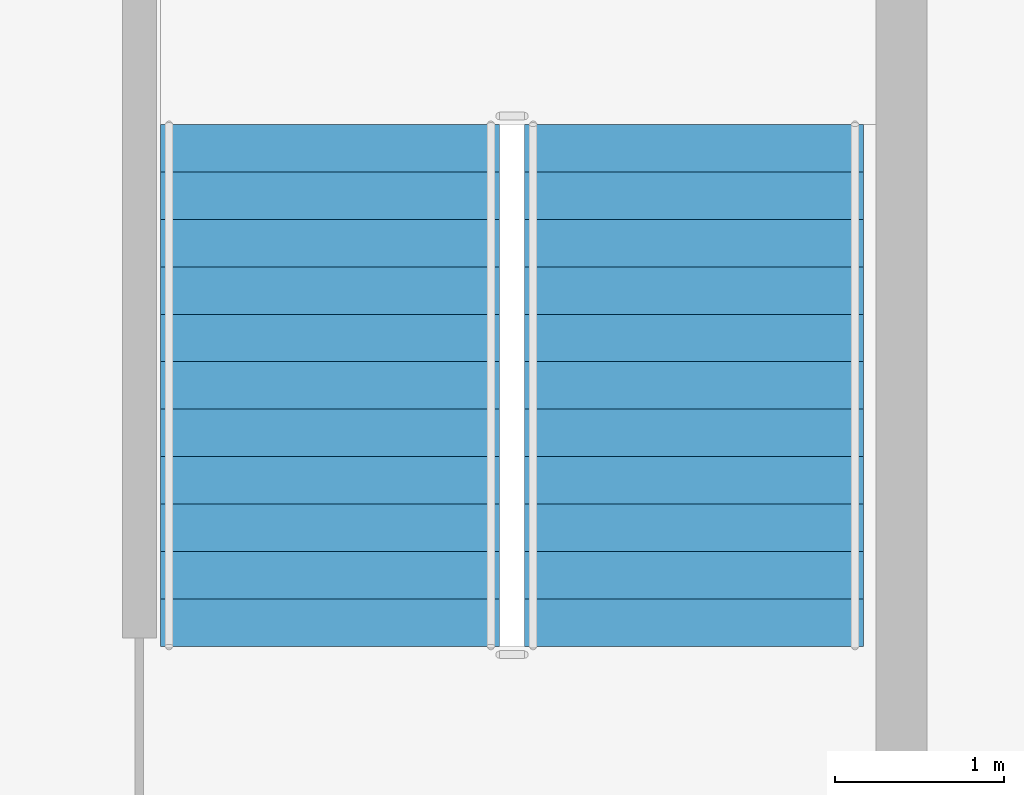
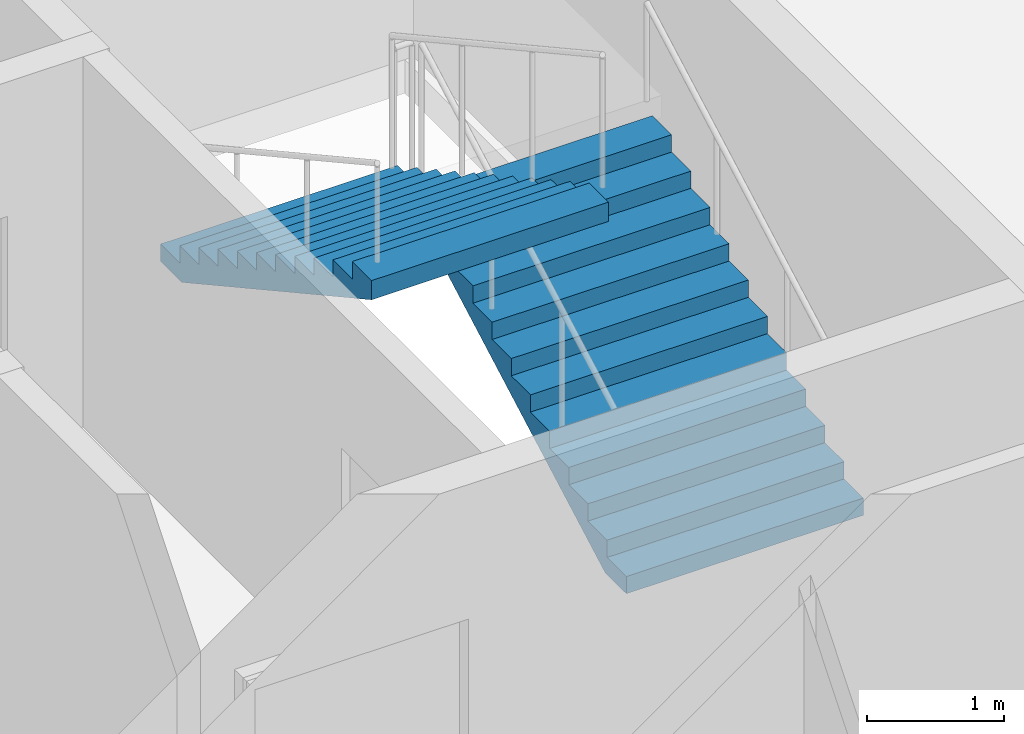
# One storey, part 9 of 11: 2 stair flights, 1 element without a shape of its own.
"""IFC4 building model written with IfcOpenShell, lengths in metres."""

from ifc_helpers import new_model, si_unit, direction, frame, origin, place, context, subcontext, project, spatial, polygons, material, type_object, element, aggregate, save


model = new_model("IFC4")

# Units and contexts
model_context = context("Model", 3, precision=1e-05, world=origin(), true_north=direction((0.0, 1.0)))
body_context = subcontext(model_context, "Body", "Model", "MODEL_VIEW")
ifc_project = project(units=[si_unit("LENGTHUNIT", "METRE"), si_unit("AREAUNIT", "SQUARE_METRE"), si_unit("VOLUMEUNIT", "CUBIC_METRE"), si_unit("PLANEANGLEUNIT", "RADIAN"), si_unit("MASSUNIT", "GRAM", prefix="KILO")], contexts=[model_context])

# Site, building, storey
site_placement = place(None, origin())
site = spatial("IfcSite", under=ifc_project, at=site_placement, CompositionType="ELEMENT")
building_placement = place(site_placement, origin())
building = spatial("IfcBuilding", under=site, at=building_placement, Name="Caravel Reach Hotel and Residences", CompositionType="ELEMENT")
storey_placement = place(building_placement, frame((0.0, 0.0, 229.39990234375)))
storey = spatial("IfcBuildingStorey", under=building, at=storey_placement, Name="L58", CompositionType="ELEMENT", Elevation=229.39990234375)

# Stair, stair flights
ifc_material_1 = material(Name="Concrete C40", Category="concrete")
stair_type = type_object("IfcStairType", Name="Core stair", PredefinedType="HALF_TURN_STAIR", material=ifc_material_1)
stair_placement = place(storey_placement, origin())
stair = element("IfcStair", 1, at=stair_placement, inside=storey, type_object=stair_type, Name="L58 Exit stair B", PredefinedType="HALF_TURN_STAIR")
ifc_material_2 = material(Name="Concrete C40", Category="concrete")
stair_flight_type = type_object("IfcStairFlightType", Name="Core stair flight", PredefinedType="STRAIGHT", material=ifc_material_2)
stair_flight_1_placement = place(storey_placement, frame((43.77490234375, 24.64990234375, 0.0), z_axis=(0.0, 0.0, 1.0), x_axis=(0.0, 1.0, 0.0)))
stair_flight_1 = element("IfcStairFlight", 2, at=stair_flight_1_placement, type_object=stair_flight_type, Name="ST-B flight 1", NumberOfRisers=12, NumberOfTreads=11, PredefinedType="STRAIGHT", RiserHeight=0.154166667, TreadLength=0.28, context=body_context, shape_type="Tessellation", body=[
    polygons([(0.3107950034306102, 1.0, 0.0), (0.3107950034306102, 0.6666666666666667, 0.0), (0.3107950034306102, 0.33333333333333337, 0.0), (0.3107950034306102, 0.0, 0.0), (0.3107950034306102, -0.33333333333333326, 0.0), (0.3107950034306102, -0.6666666666666667, 0.0), (0.3107950034306102, -1.0, 0.0), (3.081, 1.0, 1.524711087717319), (3.081, 0.6666666666666667, 1.524711087717319), (3.081, 0.33333333333333337, 1.524711087717319), (3.081, 0.0, 1.524711087717319), (3.081, -0.33333333333333326, 1.524711087717319), (3.081, -0.6666666666666667, 1.524711087717319), (3.081, -1.0, 1.524711087717319), (3.081, 1.0, 1.695833337), (3.081, 0.6666666666666667, 1.695833337), (3.081, 0.33333333333333337, 1.695833337), (3.081, 0.0, 1.695833337), (3.081, -0.33333333333333326, 1.695833337), (3.081, -0.6666666666666667, 1.695833337), (3.081, -1.0, 1.695833337), (2.8000000000000003, 1.0, 1.695833337), (2.8000000000000003, 0.6666666666666667, 1.695833337), (2.8000000000000003, 0.33333333333333337, 1.695833337), (2.8000000000000003, 0.0, 1.695833337), (2.8000000000000003, -0.33333333333333326, 1.695833337), (2.8000000000000003, -0.6666666666666667, 1.695833337), (2.8000000000000003, -1.0, 1.695833337), (2.8000000000000003, 1.0, 1.5416666700000001), (2.8000000000000003, 0.6666666666666667, 1.5416666700000001), (2.8000000000000003, 0.33333333333333337, 1.5416666700000001), (2.8000000000000003, 0.0, 1.5416666700000001), (2.8000000000000003, -0.33333333333333326, 1.5416666700000001), (2.8000000000000003, -0.6666666666666667, 1.5416666700000001), (2.8000000000000003, -1.0, 1.5416666700000001), (2.5200000000000005, 1.0, 1.5416666700000001), (2.5200000000000005, 0.6666666666666667, 1.5416666700000001), (2.5200000000000005, 0.33333333333333337, 1.5416666700000001), (2.5200000000000005, 0.0, 1.5416666700000001), (2.5200000000000005, -0.33333333333333326, 1.5416666700000001), (2.5200000000000005, -0.6666666666666667, 1.5416666700000001), (2.5200000000000005, -1.0, 1.5416666700000001), (2.5200000000000005, 1.0, 1.387500003), (2.5200000000000005, 0.6666666666666667, 1.387500003), (2.5200000000000005, 0.33333333333333337, 1.387500003), (2.5200000000000005, 0.0, 1.387500003), (2.5200000000000005, -0.33333333333333326, 1.387500003), (2.5200000000000005, -0.6666666666666667, 1.387500003), (2.5200000000000005, -1.0, 1.387500003), (2.24, 1.0, 1.387500003), (2.24, 0.6666666666666667, 1.387500003), (2.24, 0.33333333333333337, 1.387500003), (2.24, 0.0, 1.387500003), (2.24, -0.33333333333333326, 1.387500003), (2.24, -0.6666666666666667, 1.387500003), (2.24, -1.0, 1.387500003), (2.24, 1.0, 1.233333336), (2.24, 0.6666666666666667, 1.233333336), (2.24, 0.33333333333333337, 1.233333336), (2.24, 0.0, 1.233333336), (2.24, -0.33333333333333326, 1.233333336), (2.24, -0.6666666666666667, 1.233333336), (2.24, -1.0, 1.233333336), (1.9600000000000002, 1.0, 1.233333336), (1.9600000000000002, 0.6666666666666667, 1.233333336), (1.9600000000000002, 0.33333333333333337, 1.233333336), (1.9600000000000002, 0.0, 1.233333336), (1.9600000000000002, -0.33333333333333326, 1.233333336), (1.9600000000000002, -0.6666666666666667, 1.233333336), (1.9600000000000002, -1.0, 1.233333336), (1.9600000000000002, 1.0, 1.0791666690000001), (1.9600000000000002, 0.6666666666666667, 1.0791666690000001), (1.9600000000000002, 0.33333333333333337, 1.0791666690000001), (1.9600000000000002, 0.0, 1.0791666690000001), (1.9600000000000002, -0.33333333333333326, 1.0791666690000001), (1.9600000000000002, -0.6666666666666667, 1.0791666690000001), (1.9600000000000002, -1.0, 1.0791666690000001), (1.6800000000000002, 1.0, 1.0791666690000001), (1.6800000000000002, 0.6666666666666667, 1.0791666690000001), (1.6800000000000002, 0.33333333333333337, 1.0791666690000001), (1.6800000000000002, 0.0, 1.0791666690000001), (1.6800000000000002, -0.33333333333333326, 1.0791666690000001), (1.6800000000000002, -0.6666666666666667, 1.0791666690000001), (1.6800000000000002, -1.0, 1.0791666690000001), (1.6800000000000002, 1.0, 0.925000002), (1.6800000000000002, 0.6666666666666667, 0.925000002), (1.6800000000000002, 0.33333333333333337, 0.925000002), (1.6800000000000002, 0.0, 0.925000002), (1.6800000000000002, -0.33333333333333326, 0.925000002), (1.6800000000000002, -0.6666666666666667, 0.925000002), (1.6800000000000002, -1.0, 0.925000002), (1.4000000000000001, 1.0, 0.925000002), (1.4000000000000001, 0.6666666666666667, 0.925000002), (1.4000000000000001, 0.33333333333333337, 0.925000002), (1.4000000000000001, 0.0, 0.925000002), (1.4000000000000001, -0.33333333333333326, 0.925000002), (1.4000000000000001, -0.6666666666666667, 0.925000002), (1.4000000000000001, -1.0, 0.925000002), (1.4000000000000001, 1.0, 0.7708333350000001), (1.4000000000000001, 0.6666666666666667, 0.7708333350000001), (1.4000000000000001, 0.33333333333333337, 0.7708333350000001), (1.4000000000000001, 0.0, 0.7708333350000001), (1.4000000000000001, -0.33333333333333326, 0.7708333350000001), (1.4000000000000001, -0.6666666666666667, 0.7708333350000001), (1.4000000000000001, -1.0, 0.7708333350000001), (1.12, 1.0, 0.7708333350000001), (1.12, 0.6666666666666667, 0.7708333350000001), (1.12, 0.33333333333333337, 0.7708333350000001), (1.12, 0.0, 0.7708333350000001), (1.12, -0.33333333333333326, 0.7708333350000001), (1.12, -0.6666666666666667, 0.7708333350000001), (1.12, -1.0, 0.7708333350000001), (1.12, 1.0, 0.616666668), (1.12, 0.6666666666666667, 0.616666668), (1.12, 0.33333333333333337, 0.616666668), (1.12, 0.0, 0.616666668), (1.12, -0.33333333333333326, 0.616666668), (1.12, -0.6666666666666667, 0.616666668), (1.12, -1.0, 0.616666668), (0.8400000000000001, 1.0, 0.616666668), (0.8400000000000001, 0.6666666666666667, 0.616666668), (0.8400000000000001, 0.33333333333333337, 0.616666668), (0.8400000000000001, 0.0, 0.616666668), (0.8400000000000001, -0.33333333333333326, 0.616666668), (0.8400000000000001, -0.6666666666666667, 0.616666668), (0.8400000000000001, -1.0, 0.616666668), (0.8400000000000001, 1.0, 0.462500001), (0.8400000000000001, 0.6666666666666667, 0.462500001), (0.8400000000000001, 0.33333333333333337, 0.462500001), (0.8400000000000001, 0.0, 0.462500001), (0.8400000000000001, -0.33333333333333326, 0.462500001), (0.8400000000000001, -0.6666666666666667, 0.462500001), (0.8400000000000001, -1.0, 0.462500001), (0.56, 1.0, 0.462500001), (0.56, 0.6666666666666667, 0.462500001), (0.56, 0.33333333333333337, 0.462500001), (0.56, 0.0, 0.462500001), (0.56, -0.33333333333333326, 0.462500001), (0.56, -0.6666666666666667, 0.462500001), (0.56, -1.0, 0.462500001), (0.56, 1.0, 0.308333334), (0.56, 0.6666666666666667, 0.308333334), (0.56, 0.33333333333333337, 0.308333334), (0.56, 0.0, 0.308333334), (0.56, -0.33333333333333326, 0.308333334), (0.56, -0.6666666666666667, 0.308333334), (0.56, -1.0, 0.308333334), (0.28, 1.0, 0.308333334), (0.28, 0.6666666666666667, 0.308333334), (0.28, 0.33333333333333337, 0.308333334), (0.28, 0.0, 0.308333334), (0.28, -0.33333333333333326, 0.308333334), (0.28, -0.6666666666666667, 0.308333334), (0.28, -1.0, 0.308333334), (0.28, 1.0, 0.154166667), (0.28, 0.6666666666666667, 0.154166667), (0.28, 0.33333333333333337, 0.154166667), (0.28, 0.0, 0.154166667), (0.28, -0.33333333333333326, 0.154166667), (0.28, -0.6666666666666667, 0.154166667), (0.28, -1.0, 0.154166667), (-0.001, 1.0, 0.154166667), (-0.001, 0.6666666666666667, 0.154166667), (-0.001, 0.33333333333333337, 0.154166667), (-0.001, 0.0, 0.154166667), (-0.001, -0.33333333333333326, 0.154166667), (-0.001, -0.6666666666666667, 0.154166667), (-0.001, -1.0, 0.154166667), (-0.001, 1.0, 0.0), (-0.001, 0.6666666666666667, 0.0), (-0.001, 0.33333333333333337, 0.0), (-0.001, 0.0, 0.0), (-0.001, -0.33333333333333326, 0.0), (-0.001, -0.6666666666666667, 0.0), (-0.001, -1.0, 0.0)], [[[169, 162, 155, 148, 141, 134, 127, 120, 113, 106, 99, 92, 85, 78, 71, 64, 57, 50, 43, 36, 29, 22, 15, 8, 1]], [[7, 14, 21, 28, 35, 42, 49, 56, 63, 70, 77, 84, 91, 98, 105, 112, 119, 126, 133, 140, 147, 154, 161, 168, 175]], [[1, 8, 9, 2]], [[2, 9, 10, 3]], [[3, 10, 11, 4]], [[4, 11, 12, 5]], [[5, 12, 13, 6]], [[6, 13, 14, 7]], [[8, 15, 16, 9]], [[9, 16, 17, 10]], [[10, 17, 18, 11]], [[11, 18, 19, 12]], [[12, 19, 20, 13]], [[13, 20, 21, 14]], [[15, 22, 23, 16]], [[16, 23, 24, 17]], [[17, 24, 25, 18]], [[18, 25, 26, 19]], [[19, 26, 27, 20]], [[20, 27, 28, 21]], [[22, 29, 30, 23]], [[23, 30, 31, 24]], [[24, 31, 32, 25]], [[25, 32, 33, 26]], [[26, 33, 34, 27]], [[27, 34, 35, 28]], [[29, 36, 37, 30]], [[30, 37, 38, 31]], [[31, 38, 39, 32]], [[32, 39, 40, 33]], [[33, 40, 41, 34]], [[34, 41, 42, 35]], [[36, 43, 44, 37]], [[37, 44, 45, 38]], [[38, 45, 46, 39]], [[39, 46, 47, 40]], [[40, 47, 48, 41]], [[41, 48, 49, 42]], [[43, 50, 51, 44]], [[44, 51, 52, 45]], [[45, 52, 53, 46]], [[46, 53, 54, 47]], [[47, 54, 55, 48]], [[48, 55, 56, 49]], [[50, 57, 58, 51]], [[51, 58, 59, 52]], [[52, 59, 60, 53]], [[53, 60, 61, 54]], [[54, 61, 62, 55]], [[55, 62, 63, 56]], [[57, 64, 65, 58]], [[58, 65, 66, 59]], [[59, 66, 67, 60]], [[60, 67, 68, 61]], [[61, 68, 69, 62]], [[62, 69, 70, 63]], [[64, 71, 72, 65]], [[65, 72, 73, 66]], [[66, 73, 74, 67]], [[67, 74, 75, 68]], [[68, 75, 76, 69]], [[69, 76, 77, 70]], [[71, 78, 79, 72]], [[72, 79, 80, 73]], [[73, 80, 81, 74]], [[74, 81, 82, 75]], [[75, 82, 83, 76]], [[76, 83, 84, 77]], [[78, 85, 86, 79]], [[79, 86, 87, 80]], [[80, 87, 88, 81]], [[81, 88, 89, 82]], [[82, 89, 90, 83]], [[83, 90, 91, 84]], [[85, 92, 93, 86]], [[86, 93, 94, 87]], [[87, 94, 95, 88]], [[88, 95, 96, 89]], [[89, 96, 97, 90]], [[90, 97, 98, 91]], [[92, 99, 100, 93]], [[93, 100, 101, 94]], [[94, 101, 102, 95]], [[95, 102, 103, 96]], [[96, 103, 104, 97]], [[97, 104, 105, 98]], [[99, 106, 107, 100]], [[100, 107, 108, 101]], [[101, 108, 109, 102]], [[102, 109, 110, 103]], [[103, 110, 111, 104]], [[104, 111, 112, 105]], [[106, 113, 114, 107]], [[107, 114, 115, 108]], [[108, 115, 116, 109]], [[109, 116, 117, 110]], [[110, 117, 118, 111]], [[111, 118, 119, 112]], [[113, 120, 121, 114]], [[114, 121, 122, 115]], [[115, 122, 123, 116]], [[116, 123, 124, 117]], [[117, 124, 125, 118]], [[118, 125, 126, 119]], [[120, 127, 128, 121]], [[121, 128, 129, 122]], [[122, 129, 130, 123]], [[123, 130, 131, 124]], [[124, 131, 132, 125]], [[125, 132, 133, 126]], [[127, 134, 135, 128]], [[128, 135, 136, 129]], [[129, 136, 137, 130]], [[130, 137, 138, 131]], [[131, 138, 139, 132]], [[132, 139, 140, 133]], [[134, 141, 142, 135]], [[135, 142, 143, 136]], [[136, 143, 144, 137]], [[137, 144, 145, 138]], [[138, 145, 146, 139]], [[139, 146, 147, 140]], [[141, 148, 149, 142]], [[142, 149, 150, 143]], [[143, 150, 151, 144]], [[144, 151, 152, 145]], [[145, 152, 153, 146]], [[146, 153, 154, 147]], [[148, 155, 156, 149]], [[149, 156, 157, 150]], [[150, 157, 158, 151]], [[151, 158, 159, 152]], [[152, 159, 160, 153]], [[153, 160, 161, 154]], [[155, 162, 163, 156]], [[156, 163, 164, 157]], [[157, 164, 165, 158]], [[158, 165, 166, 159]], [[159, 166, 167, 160]], [[160, 167, 168, 161]], [[162, 169, 170, 163]], [[163, 170, 171, 164]], [[164, 171, 172, 165]], [[165, 172, 173, 166]], [[166, 173, 174, 167]], [[167, 174, 175, 168]], [[169, 1, 2, 170]], [[170, 2, 3, 171]], [[171, 3, 4, 172]], [[172, 4, 5, 173]], [[173, 5, 6, 174]], [[174, 6, 7, 175]]], closed=True),
])
stair_flight_2_placement = place(storey_placement, frame((41.625, 27.72998046875, 1.85009765625), z_axis=(0.0, 0.0, 1.0), x_axis=(0.0, -1.0, 0.0)))
stair_flight_2 = element("IfcStairFlight", 3, at=stair_flight_2_placement, type_object=stair_flight_type, Name="ST-B flight 2", NumberOfRisers=12, NumberOfTreads=11, PredefinedType="STRAIGHT", RiserHeight=0.154166667, TreadLength=0.28, context=body_context, shape_type="Tessellation", body=[
    polygons([(0.3107950034306102, 1.0, 0.0), (0.3107950034306102, 0.6666666666666667, 0.0), (0.3107950034306102, 0.33333333333333337, 0.0), (0.3107950034306102, 0.0, 0.0), (0.3107950034306102, -0.33333333333333326, 0.0), (0.3107950034306102, -0.6666666666666667, 0.0), (0.3107950034306102, -1.0, 0.0), (3.081, 1.0, 1.524711087717319), (3.081, 0.6666666666666667, 1.524711087717319), (3.081, 0.33333333333333337, 1.524711087717319), (3.081, 0.0, 1.524711087717319), (3.081, -0.33333333333333326, 1.524711087717319), (3.081, -0.6666666666666667, 1.524711087717319), (3.081, -1.0, 1.524711087717319), (3.081, 1.0, 1.695833337), (3.081, 0.6666666666666667, 1.695833337), (3.081, 0.33333333333333337, 1.695833337), (3.081, 0.0, 1.695833337), (3.081, -0.33333333333333326, 1.695833337), (3.081, -0.6666666666666667, 1.695833337), (3.081, -1.0, 1.695833337), (2.8000000000000003, 1.0, 1.695833337), (2.8000000000000003, 0.6666666666666667, 1.695833337), (2.8000000000000003, 0.33333333333333337, 1.695833337), (2.8000000000000003, 0.0, 1.695833337), (2.8000000000000003, -0.33333333333333326, 1.695833337), (2.8000000000000003, -0.6666666666666667, 1.695833337), (2.8000000000000003, -1.0, 1.695833337), (2.8000000000000003, 1.0, 1.5416666700000001), (2.8000000000000003, 0.6666666666666667, 1.5416666700000001), (2.8000000000000003, 0.33333333333333337, 1.5416666700000001), (2.8000000000000003, 0.0, 1.5416666700000001), (2.8000000000000003, -0.33333333333333326, 1.5416666700000001), (2.8000000000000003, -0.6666666666666667, 1.5416666700000001), (2.8000000000000003, -1.0, 1.5416666700000001), (2.5200000000000005, 1.0, 1.5416666700000001), (2.5200000000000005, 0.6666666666666667, 1.5416666700000001), (2.5200000000000005, 0.33333333333333337, 1.5416666700000001), (2.5200000000000005, 0.0, 1.5416666700000001), (2.5200000000000005, -0.33333333333333326, 1.5416666700000001), (2.5200000000000005, -0.6666666666666667, 1.5416666700000001), (2.5200000000000005, -1.0, 1.5416666700000001), (2.5200000000000005, 1.0, 1.387500003), (2.5200000000000005, 0.6666666666666667, 1.387500003), (2.5200000000000005, 0.33333333333333337, 1.387500003), (2.5200000000000005, 0.0, 1.387500003), (2.5200000000000005, -0.33333333333333326, 1.387500003), (2.5200000000000005, -0.6666666666666667, 1.387500003), (2.5200000000000005, -1.0, 1.387500003), (2.24, 1.0, 1.387500003), (2.24, 0.6666666666666667, 1.387500003), (2.24, 0.33333333333333337, 1.387500003), (2.24, 0.0, 1.387500003), (2.24, -0.33333333333333326, 1.387500003), (2.24, -0.6666666666666667, 1.387500003), (2.24, -1.0, 1.387500003), (2.24, 1.0, 1.233333336), (2.24, 0.6666666666666667, 1.233333336), (2.24, 0.33333333333333337, 1.233333336), (2.24, 0.0, 1.233333336), (2.24, -0.33333333333333326, 1.233333336), (2.24, -0.6666666666666667, 1.233333336), (2.24, -1.0, 1.233333336), (1.9600000000000002, 1.0, 1.233333336), (1.9600000000000002, 0.6666666666666667, 1.233333336), (1.9600000000000002, 0.33333333333333337, 1.233333336), (1.9600000000000002, 0.0, 1.233333336), (1.9600000000000002, -0.33333333333333326, 1.233333336), (1.9600000000000002, -0.6666666666666667, 1.233333336), (1.9600000000000002, -1.0, 1.233333336), (1.9600000000000002, 1.0, 1.0791666690000001), (1.9600000000000002, 0.6666666666666667, 1.0791666690000001), (1.9600000000000002, 0.33333333333333337, 1.0791666690000001), (1.9600000000000002, 0.0, 1.0791666690000001), (1.9600000000000002, -0.33333333333333326, 1.0791666690000001), (1.9600000000000002, -0.6666666666666667, 1.0791666690000001), (1.9600000000000002, -1.0, 1.0791666690000001), (1.6800000000000002, 1.0, 1.0791666690000001), (1.6800000000000002, 0.6666666666666667, 1.0791666690000001), (1.6800000000000002, 0.33333333333333337, 1.0791666690000001), (1.6800000000000002, 0.0, 1.0791666690000001), (1.6800000000000002, -0.33333333333333326, 1.0791666690000001), (1.6800000000000002, -0.6666666666666667, 1.0791666690000001), (1.6800000000000002, -1.0, 1.0791666690000001), (1.6800000000000002, 1.0, 0.925000002), (1.6800000000000002, 0.6666666666666667, 0.925000002), (1.6800000000000002, 0.33333333333333337, 0.925000002), (1.6800000000000002, 0.0, 0.925000002), (1.6800000000000002, -0.33333333333333326, 0.925000002), (1.6800000000000002, -0.6666666666666667, 0.925000002), (1.6800000000000002, -1.0, 0.925000002), (1.4000000000000001, 1.0, 0.925000002), (1.4000000000000001, 0.6666666666666667, 0.925000002), (1.4000000000000001, 0.33333333333333337, 0.925000002), (1.4000000000000001, 0.0, 0.925000002), (1.4000000000000001, -0.33333333333333326, 0.925000002), (1.4000000000000001, -0.6666666666666667, 0.925000002), (1.4000000000000001, -1.0, 0.925000002), (1.4000000000000001, 1.0, 0.7708333350000001), (1.4000000000000001, 0.6666666666666667, 0.7708333350000001), (1.4000000000000001, 0.33333333333333337, 0.7708333350000001), (1.4000000000000001, 0.0, 0.7708333350000001), (1.4000000000000001, -0.33333333333333326, 0.7708333350000001), (1.4000000000000001, -0.6666666666666667, 0.7708333350000001), (1.4000000000000001, -1.0, 0.7708333350000001), (1.12, 1.0, 0.7708333350000001), (1.12, 0.6666666666666667, 0.7708333350000001), (1.12, 0.33333333333333337, 0.7708333350000001), (1.12, 0.0, 0.7708333350000001), (1.12, -0.33333333333333326, 0.7708333350000001), (1.12, -0.6666666666666667, 0.7708333350000001), (1.12, -1.0, 0.7708333350000001), (1.12, 1.0, 0.616666668), (1.12, 0.6666666666666667, 0.616666668), (1.12, 0.33333333333333337, 0.616666668), (1.12, 0.0, 0.616666668), (1.12, -0.33333333333333326, 0.616666668), (1.12, -0.6666666666666667, 0.616666668), (1.12, -1.0, 0.616666668), (0.8400000000000001, 1.0, 0.616666668), (0.8400000000000001, 0.6666666666666667, 0.616666668), (0.8400000000000001, 0.33333333333333337, 0.616666668), (0.8400000000000001, 0.0, 0.616666668), (0.8400000000000001, -0.33333333333333326, 0.616666668), (0.8400000000000001, -0.6666666666666667, 0.616666668), (0.8400000000000001, -1.0, 0.616666668), (0.8400000000000001, 1.0, 0.462500001), (0.8400000000000001, 0.6666666666666667, 0.462500001), (0.8400000000000001, 0.33333333333333337, 0.462500001), (0.8400000000000001, 0.0, 0.462500001), (0.8400000000000001, -0.33333333333333326, 0.462500001), (0.8400000000000001, -0.6666666666666667, 0.462500001), (0.8400000000000001, -1.0, 0.462500001), (0.56, 1.0, 0.462500001), (0.56, 0.6666666666666667, 0.462500001), (0.56, 0.33333333333333337, 0.462500001), (0.56, 0.0, 0.462500001), (0.56, -0.33333333333333326, 0.462500001), (0.56, -0.6666666666666667, 0.462500001), (0.56, -1.0, 0.462500001), (0.56, 1.0, 0.308333334), (0.56, 0.6666666666666667, 0.308333334), (0.56, 0.33333333333333337, 0.308333334), (0.56, 0.0, 0.308333334), (0.56, -0.33333333333333326, 0.308333334), (0.56, -0.6666666666666667, 0.308333334), (0.56, -1.0, 0.308333334), (0.28, 1.0, 0.308333334), (0.28, 0.6666666666666667, 0.308333334), (0.28, 0.33333333333333337, 0.308333334), (0.28, 0.0, 0.308333334), (0.28, -0.33333333333333326, 0.308333334), (0.28, -0.6666666666666667, 0.308333334), (0.28, -1.0, 0.308333334), (0.28, 1.0, 0.154166667), (0.28, 0.6666666666666667, 0.154166667), (0.28, 0.33333333333333337, 0.154166667), (0.28, 0.0, 0.154166667), (0.28, -0.33333333333333326, 0.154166667), (0.28, -0.6666666666666667, 0.154166667), (0.28, -1.0, 0.154166667), (-0.001, 1.0, 0.154166667), (-0.001, 0.6666666666666667, 0.154166667), (-0.001, 0.33333333333333337, 0.154166667), (-0.001, 0.0, 0.154166667), (-0.001, -0.33333333333333326, 0.154166667), (-0.001, -0.6666666666666667, 0.154166667), (-0.001, -1.0, 0.154166667), (-0.001, 1.0, 0.0), (-0.001, 0.6666666666666667, 0.0), (-0.001, 0.33333333333333337, 0.0), (-0.001, 0.0, 0.0), (-0.001, -0.33333333333333326, 0.0), (-0.001, -0.6666666666666667, 0.0), (-0.001, -1.0, 0.0)], [[[169, 162, 155, 148, 141, 134, 127, 120, 113, 106, 99, 92, 85, 78, 71, 64, 57, 50, 43, 36, 29, 22, 15, 8, 1]], [[7, 14, 21, 28, 35, 42, 49, 56, 63, 70, 77, 84, 91, 98, 105, 112, 119, 126, 133, 140, 147, 154, 161, 168, 175]], [[1, 8, 9, 2]], [[2, 9, 10, 3]], [[3, 10, 11, 4]], [[4, 11, 12, 5]], [[5, 12, 13, 6]], [[6, 13, 14, 7]], [[8, 15, 16, 9]], [[9, 16, 17, 10]], [[10, 17, 18, 11]], [[11, 18, 19, 12]], [[12, 19, 20, 13]], [[13, 20, 21, 14]], [[15, 22, 23, 16]], [[16, 23, 24, 17]], [[17, 24, 25, 18]], [[18, 25, 26, 19]], [[19, 26, 27, 20]], [[20, 27, 28, 21]], [[22, 29, 30, 23]], [[23, 30, 31, 24]], [[24, 31, 32, 25]], [[25, 32, 33, 26]], [[26, 33, 34, 27]], [[27, 34, 35, 28]], [[29, 36, 37, 30]], [[30, 37, 38, 31]], [[31, 38, 39, 32]], [[32, 39, 40, 33]], [[33, 40, 41, 34]], [[34, 41, 42, 35]], [[36, 43, 44, 37]], [[37, 44, 45, 38]], [[38, 45, 46, 39]], [[39, 46, 47, 40]], [[40, 47, 48, 41]], [[41, 48, 49, 42]], [[43, 50, 51, 44]], [[44, 51, 52, 45]], [[45, 52, 53, 46]], [[46, 53, 54, 47]], [[47, 54, 55, 48]], [[48, 55, 56, 49]], [[50, 57, 58, 51]], [[51, 58, 59, 52]], [[52, 59, 60, 53]], [[53, 60, 61, 54]], [[54, 61, 62, 55]], [[55, 62, 63, 56]], [[57, 64, 65, 58]], [[58, 65, 66, 59]], [[59, 66, 67, 60]], [[60, 67, 68, 61]], [[61, 68, 69, 62]], [[62, 69, 70, 63]], [[64, 71, 72, 65]], [[65, 72, 73, 66]], [[66, 73, 74, 67]], [[67, 74, 75, 68]], [[68, 75, 76, 69]], [[69, 76, 77, 70]], [[71, 78, 79, 72]], [[72, 79, 80, 73]], [[73, 80, 81, 74]], [[74, 81, 82, 75]], [[75, 82, 83, 76]], [[76, 83, 84, 77]], [[78, 85, 86, 79]], [[79, 86, 87, 80]], [[80, 87, 88, 81]], [[81, 88, 89, 82]], [[82, 89, 90, 83]], [[83, 90, 91, 84]], [[85, 92, 93, 86]], [[86, 93, 94, 87]], [[87, 94, 95, 88]], [[88, 95, 96, 89]], [[89, 96, 97, 90]], [[90, 97, 98, 91]], [[92, 99, 100, 93]], [[93, 100, 101, 94]], [[94, 101, 102, 95]], [[95, 102, 103, 96]], [[96, 103, 104, 97]], [[97, 104, 105, 98]], [[99, 106, 107, 100]], [[100, 107, 108, 101]], [[101, 108, 109, 102]], [[102, 109, 110, 103]], [[103, 110, 111, 104]], [[104, 111, 112, 105]], [[106, 113, 114, 107]], [[107, 114, 115, 108]], [[108, 115, 116, 109]], [[109, 116, 117, 110]], [[110, 117, 118, 111]], [[111, 118, 119, 112]], [[113, 120, 121, 114]], [[114, 121, 122, 115]], [[115, 122, 123, 116]], [[116, 123, 124, 117]], [[117, 124, 125, 118]], [[118, 125, 126, 119]], [[120, 127, 128, 121]], [[121, 128, 129, 122]], [[122, 129, 130, 123]], [[123, 130, 131, 124]], [[124, 131, 132, 125]], [[125, 132, 133, 126]], [[127, 134, 135, 128]], [[128, 135, 136, 129]], [[129, 136, 137, 130]], [[130, 137, 138, 131]], [[131, 138, 139, 132]], [[132, 139, 140, 133]], [[134, 141, 142, 135]], [[135, 142, 143, 136]], [[136, 143, 144, 137]], [[137, 144, 145, 138]], [[138, 145, 146, 139]], [[139, 146, 147, 140]], [[141, 148, 149, 142]], [[142, 149, 150, 143]], [[143, 150, 151, 144]], [[144, 151, 152, 145]], [[145, 152, 153, 146]], [[146, 153, 154, 147]], [[148, 155, 156, 149]], [[149, 156, 157, 150]], [[150, 157, 158, 151]], [[151, 158, 159, 152]], [[152, 159, 160, 153]], [[153, 160, 161, 154]], [[155, 162, 163, 156]], [[156, 163, 164, 157]], [[157, 164, 165, 158]], [[158, 165, 166, 159]], [[159, 166, 167, 160]], [[160, 167, 168, 161]], [[162, 169, 170, 163]], [[163, 170, 171, 164]], [[164, 171, 172, 165]], [[165, 172, 173, 166]], [[166, 173, 174, 167]], [[167, 174, 175, 168]], [[169, 1, 2, 170]], [[170, 2, 3, 171]], [[171, 3, 4, 172]], [[172, 4, 5, 173]], [[173, 5, 6, 174]], [[174, 6, 7, 175]]], closed=True),
])
aggregate(stair, [stair_flight_1, stair_flight_2])

save(model, "model.ifc")
